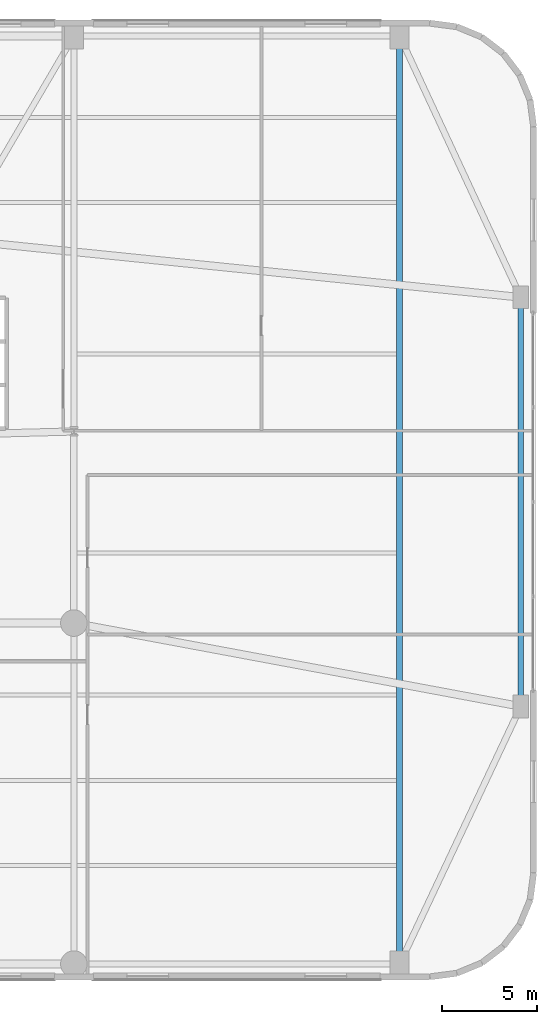
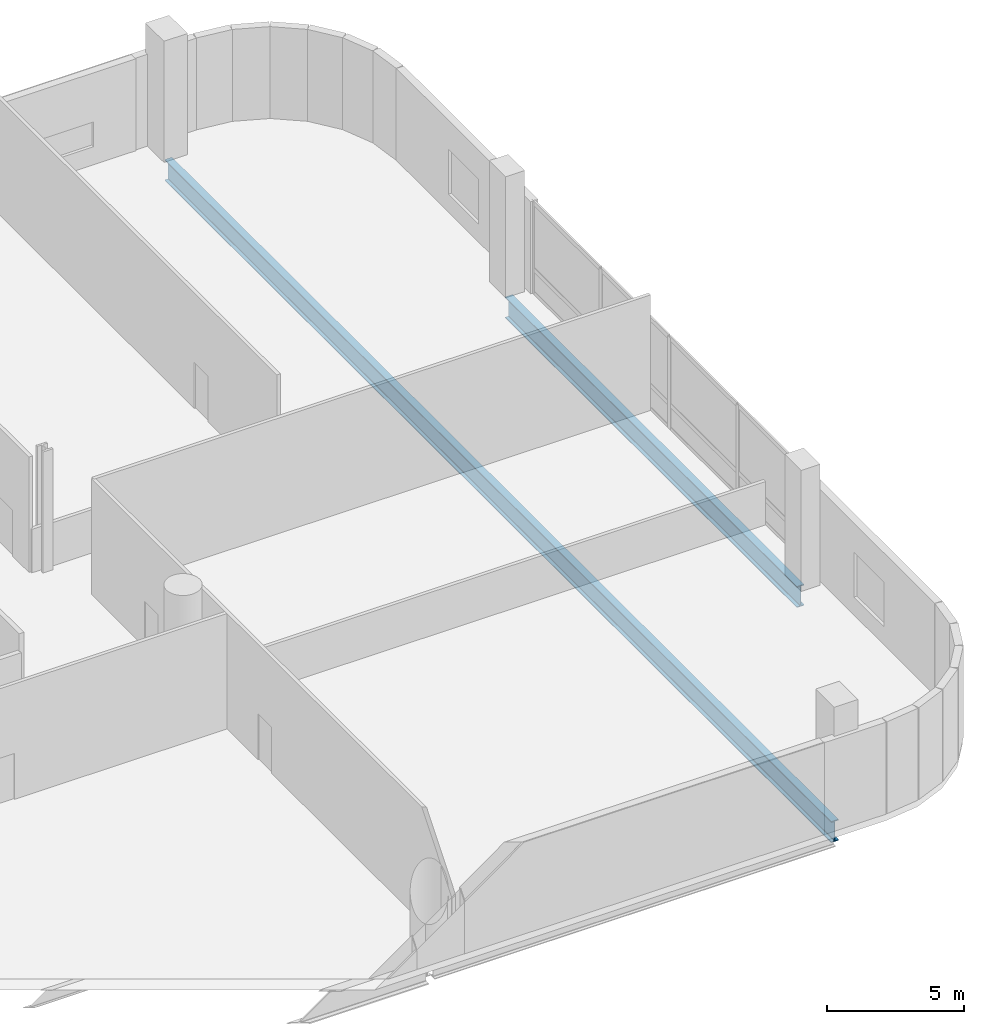
# One storey, part 19 of 31: 2 beams.
"""IFC4 building model written with IfcOpenShell, lengths in metres."""

from ifc_helpers import new_model, si_unit, direction, frame, origin, origin_2d, place, context, subcontext, project, spatial, i_section, extrude, material, material_profile, profile_set, type_object, element, save


model = new_model("IFC4")

# Units and contexts
model_context = context("Model", 3, precision=1e-05, world=origin(), true_north=direction((0.0, 1.0)))
body_context = subcontext(model_context, "Body", "Model", "MODEL_VIEW")
ifc_project = project(units=[si_unit("LENGTHUNIT", "METRE"), si_unit("AREAUNIT", "SQUARE_METRE"), si_unit("VOLUMEUNIT", "CUBIC_METRE"), si_unit("PLANEANGLEUNIT", "RADIAN"), si_unit("MASSUNIT", "GRAM", prefix="KILO")], contexts=[model_context])

# Site, building, storey
site_placement = place(None, origin())
site = spatial("IfcSite", under=ifc_project, at=site_placement, CompositionType="ELEMENT")
building_placement = place(site_placement, origin())
building = spatial("IfcBuilding", under=site, at=building_placement, Name="Varnelok Gate Tower", CompositionType="ELEMENT")
storey_placement = place(building_placement, frame((0.0, 0.0, 21.60009765625)))
storey = spatial("IfcBuildingStorey", under=building, at=storey_placement, Name="L04", CompositionType="ELEMENT", Elevation=21.60009765625)

# Beams
ifc_material = material(Name="Structural Steel ASTM A992 Grade 50", Category="steel")
ifc_material_profile = material_profile(ifc_material, i_section(OverallWidth=0.30810546875, OverallDepth=0.943115234375, WebThickness=0.022216796875, FlangeThickness=0.039794921875, FilletRadius=0.02587890625, at=origin_2d()), Name="W36X232")
ifc_profile_set = profile_set([ifc_material_profile], Name="Structural Steel ASTM A992 Grade 50")
beam_type = type_object("IfcBeamType", Name="BM-PRI-W36X232", PredefinedType="BEAM", material=ifc_profile_set)
beam_1_placement = place(storey_placement, frame((77.60009765625, 14.5400390625, -0.79150390625), z_axis=(0.0, 1.0, 0.0), x_axis=(-1.0, 0.0, 0.0)))
element("IfcBeam", 1, at=beam_1_placement, inside=storey, type_object=beam_type, Name="L04 Podium Primary Girder 7", PredefinedType="BEAM", context=body_context, shape_type="SweptSolid", body=[
    extrude(i_section(OverallWidth=0.30810546875, OverallDepth=0.943115234375, WebThickness=0.022216796875, FlangeThickness=0.039794921875, FilletRadius=0.02587890625, at=origin_2d()), origin(), (0.0, 0.0, 1.0), 21.320068359375),
])
beam_2_placement = place(storey_placement, frame((71.199951171875, 0.93994140625, -0.79150390625), z_axis=(0.0, 1.0, 0.0), x_axis=(-1.0, 0.0, 0.0)))
element("IfcBeam", 2, at=beam_2_placement, inside=storey, type_object=beam_type, Name="L04 Podium Primary Girder 15", PredefinedType="BEAM", context=body_context, shape_type="SweptSolid", body=[
    extrude(i_section(OverallWidth=0.30810546875, OverallDepth=0.943115234375, WebThickness=0.022216796875, FlangeThickness=0.039794921875, FilletRadius=0.02587890625, at=origin_2d()), origin(), (0.0, 0.0, 1.0), 48.719970703125),
])

save(model, "model.ifc")
